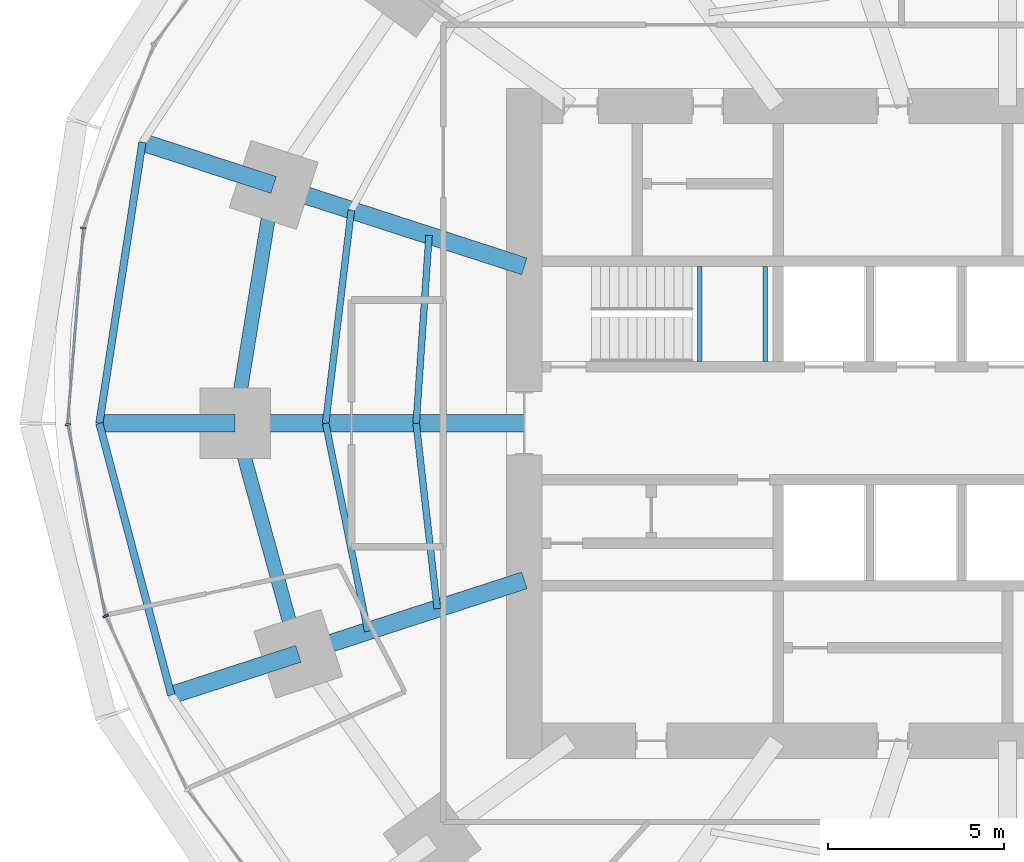
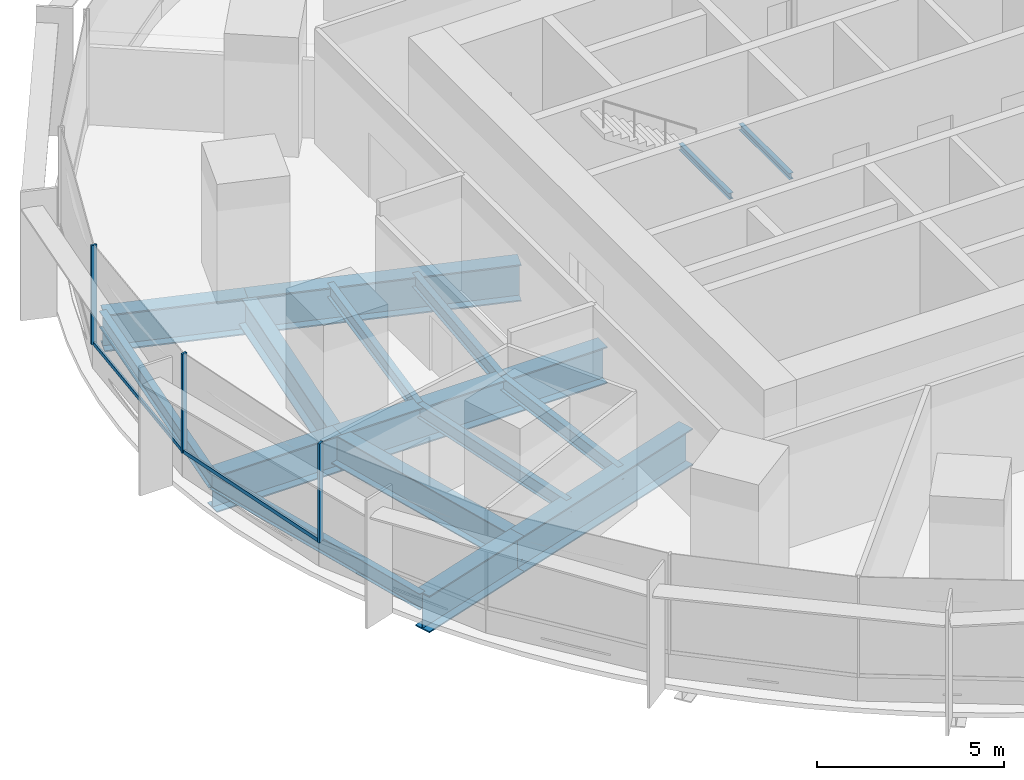
# One storey, part 4 of 15: 16 beams, 5 members, 2 elements without a shape of their own.
"""IFC4 building model written with IfcOpenShell, lengths in metres."""

from ifc_helpers import new_model, si_unit, direction, frame, origin, origin_2d, place, context, subcontext, project, spatial, rectangle, i_section, extrude, material, material_profile, profile_set, type_object, element, aggregate, save


model = new_model("IFC4")

# Units and contexts
model_context = context("Model", 3, precision=1e-05, world=origin(), true_north=direction((0.0, 1.0)))
body_context = subcontext(model_context, "Body", "Model", "MODEL_VIEW")
ifc_project = project(units=[si_unit("LENGTHUNIT", "METRE"), si_unit("AREAUNIT", "SQUARE_METRE"), si_unit("VOLUMEUNIT", "CUBIC_METRE"), si_unit("PLANEANGLEUNIT", "RADIAN"), si_unit("MASSUNIT", "GRAM", prefix="KILO")], contexts=[model_context])

# Site, building, storey
site_placement = place(None, origin())
site = spatial("IfcSite", under=ifc_project, at=site_placement, CompositionType="ELEMENT")
building_placement = place(site_placement, origin())
building = spatial("IfcBuilding", under=site, at=building_placement, Name="Marramba Exchange Tower", CompositionType="ELEMENT")
storey_placement = place(building_placement, frame((0.0, 0.0, 65.800048828125)))
storey = spatial("IfcBuildingStorey", under=building, at=storey_placement, Name="L15", CompositionType="ELEMENT", Elevation=65.800048828125)

# Beams
ifc_material_1 = material(Name="Steel AS/NZS 3679.2 grade 300", Category="steel")
ifc_material_profile_1 = material_profile(ifc_material_1, i_section(OverallWidth=0.5, OverallDepth=1.199951171875, WebThickness=0.01611328125, FlangeThickness=0.0400390625, at=origin_2d()), Name="1200WB455")
ifc_profile_set_1 = profile_set([ifc_material_profile_1], Name="Steel AS/NZS 3679.2 grade 300")
beam_type_1 = type_object("IfcBeamType", Name="Cantilever girder 1200WB455", PredefinedType="BEAM", material=ifc_profile_set_1)
beam_1_placement = place(storey_placement, frame((-20.808349609375, 6.760986328125, -0.760009765625), z_axis=(-0.951058833549, 0.309009862508, 0.0), x_axis=(-0.309009862508, -0.951058833549, 0.0)))
element("IfcBeam", 1, at=beam_1_placement, inside=storey, type_object=beam_type_1, Name="Cantilever girder L15 TC10", PredefinedType="BEAM", context=body_context, shape_type="SweptSolid", body=[
    extrude(i_section(OverallWidth=0.5, OverallDepth=1.199951171875, WebThickness=0.01611328125, FlangeThickness=0.0400390625, at=origin_2d()), origin(), (0.0, 0.0, 1.0), 3.91162109375),
])
beam_2_placement = place(storey_placement, frame((-21.89990234375, 0.0, -0.760009765625), z_axis=(-1.0, 0.0, 0.0), x_axis=(0.0, -1.0, 0.0)))
element("IfcBeam", 2, at=beam_2_placement, inside=storey, type_object=beam_type_1, Name="Cantilever girder L15 TC11", PredefinedType="BEAM", context=body_context, shape_type="SweptSolid", body=[
    extrude(i_section(OverallWidth=0.5, OverallDepth=1.199951171875, WebThickness=0.01611328125, FlangeThickness=0.0400390625, at=origin_2d()), origin(), (0.0, 0.0, 1.0), 3.85009765625),
])
beam_3_placement = place(storey_placement, frame((-20.109375, -6.533935546875, -0.760009765625), z_axis=(-0.951048759501, -0.309040866314, 0.0), x_axis=(0.309040866314, -0.951048759501, 0.0)))
element("IfcBeam", 3, at=beam_3_placement, inside=storey, type_object=beam_type_1, Name="Cantilever girder L15 TC12", PredefinedType="BEAM", context=body_context, shape_type="SweptSolid", body=[
    extrude(i_section(OverallWidth=0.5, OverallDepth=1.199951171875, WebThickness=0.01611328125, FlangeThickness=0.0400390625, at=origin_2d()), origin(), (0.0, 0.0, 1.0), 3.78564453125),
])
ifc_material_2 = material(Name="Steel AS/NZS 3679.1 grade 300", Category="steel")
ifc_material_profile_2 = material_profile(ifc_material_2, i_section(OverallWidth=0.18994140625, OverallDepth=0.4541015625, WebThickness=0.008544921875, FlangeThickness=0.0126953125, FilletRadius=0.011474609375, at=origin_2d()), Name="460UB67.1")
ifc_profile_set_2 = profile_set([ifc_material_profile_2], Name="Steel AS/NZS 3679.1 grade 300")
beam_type_2 = type_object("IfcBeamType", Name="Floor joist 460UB67.1", PredefinedType="JOIST", material=ifc_profile_set_2)
beam_4_placement = place(storey_placement, frame((-16.40283203125, 5.32958984375, -0.386962890625), z_axis=(-0.068096259546, -0.99767875563, 0.0), x_axis=(0.99767875563, -0.068096259546, 0.0)))
element("IfcBeam", 4, at=beam_4_placement, inside=storey, type_object=beam_type_2, Name="Joist L15 bay 10 row 1", PredefinedType="JOIST", context=body_context, shape_type="SweptSolid", body=[
    extrude(i_section(OverallWidth=0.18994140625, OverallDepth=0.4541015625, WebThickness=0.008544921875, FlangeThickness=0.0126953125, FilletRadius=0.011474609375, at=origin_2d()), origin(), (0.0, 0.0, 1.0), 5.342041015625),
])
beam_5_placement = place(storey_placement, frame((-18.60546875, 6.04541015625, -0.386962890625), z_axis=(-0.119523078538, -0.992831422597, 0.0), x_axis=(0.992831422597, -0.119523078538, 0.0)))
element("IfcBeam", 5, at=beam_5_placement, inside=storey, type_object=beam_type_2, Name="Joist L15 bay 10 row 2", PredefinedType="JOIST", context=body_context, shape_type="SweptSolid", body=[
    extrude(i_section(OverallWidth=0.18994140625, OverallDepth=0.4541015625, WebThickness=0.008544921875, FlangeThickness=0.0126953125, FilletRadius=0.011474609375, at=origin_2d()), origin(), (0.0, 0.0, 1.0), 6.089111328125),
])
beam_6_placement = place(storey_placement, frame((-16.7666015625, 0.0, -0.386962890625), z_axis=(0.112888968594, -0.993607609054, 0.0), x_axis=(0.993607609054, 0.112888968594, 0.0)))
element("IfcBeam", 6, at=beam_6_placement, inside=storey, type_object=beam_type_2, Name="Joist L15 bay 11 row 1", PredefinedType="JOIST", context=body_context, shape_type="SweptSolid", body=[
    extrude(i_section(OverallWidth=0.18994140625, OverallDepth=0.4541015625, WebThickness=0.008544921875, FlangeThickness=0.0126953125, FilletRadius=0.011474609375, at=origin_2d()), origin(), (0.0, 0.0, 1.0), 5.28759765625),
])
beam_7_placement = place(storey_placement, frame((-19.333251953125, 0.0, -0.386962890625), z_axis=(0.198489047047, -0.980103105904, 0.0), x_axis=(0.980103105904, 0.198489047047, 0.0)))
element("IfcBeam", 7, at=beam_7_placement, inside=storey, type_object=beam_type_2, Name="Joist L15 bay 11 row 2", PredefinedType="JOIST", context=body_context, shape_type="SweptSolid", body=[
    extrude(i_section(OverallWidth=0.18994140625, OverallDepth=0.4541015625, WebThickness=0.008544921875, FlangeThickness=0.0126953125, FilletRadius=0.011474609375, at=origin_2d()), origin(), (0.0, 0.0, 1.0), 6.013427734375),
])
ifc_material_profile_3 = material_profile(ifc_material_1, i_section(OverallWidth=0.5, OverallDepth=1.199951171875, WebThickness=0.01611328125, FlangeThickness=0.0400390625, at=origin_2d()), Name="1200WB455")
ifc_profile_set_3 = profile_set([ifc_material_profile_3], Name="Steel AS/NZS 3679.2 grade 300")
beam_type_3 = type_object("IfcBeamType", Name="Radial girder 1200WB455", PredefinedType="BEAM", material=ifc_profile_set_3)
beam_8_placement = place(storey_placement, frame((-13.699951171875, 4.451416015625, -0.760009765625), z_axis=(-0.951059990189, 0.309006302624, 0.0), x_axis=(-0.309006302624, -0.951059990189, 0.0)))
element("IfcBeam", 8, at=beam_8_placement, inside=storey, type_object=beam_type_3, Name="Radial girder L15 TC10", PredefinedType="BEAM", context=body_context, shape_type="SweptSolid", body=[
    extrude(i_section(OverallWidth=0.5, OverallDepth=1.199951171875, WebThickness=0.01611328125, FlangeThickness=0.0400390625, at=origin_2d()), origin(), (0.0, 0.0, 1.0), 7.47412109375),
])
beam_9_placement = place(storey_placement, frame((-13.699951171875, 0.0, -0.760009765625), z_axis=(-1.0, 0.0, 0.0), x_axis=(0.0, -1.0, 0.0)))
element("IfcBeam", 9, at=beam_9_placement, inside=storey, type_object=beam_type_3, Name="Radial girder L15 TC11", PredefinedType="BEAM", context=body_context, shape_type="SweptSolid", body=[
    extrude(i_section(OverallWidth=0.5, OverallDepth=1.199951171875, WebThickness=0.01611328125, FlangeThickness=0.0400390625, at=origin_2d()), origin(), (0.0, 0.0, 1.0), 8.199951171875),
])
beam_10_placement = place(storey_placement, frame((-13.699951171875, -4.451416015625, -0.760009765625), z_axis=(-0.951057759669, -0.309013167637, 0.0), x_axis=(0.309013167637, -0.951057759669, 0.0)))
element("IfcBeam", 10, at=beam_10_placement, inside=storey, type_object=beam_type_3, Name="Radial girder L15 TC12", PredefinedType="BEAM", context=body_context, shape_type="SweptSolid", body=[
    extrude(i_section(OverallWidth=0.5, OverallDepth=1.199951171875, WebThickness=0.01611328125, FlangeThickness=0.0400390625, at=origin_2d()), origin(), (0.0, 0.0, 1.0), 6.7392578125),
])
ifc_material_profile_4 = material_profile(ifc_material_1, i_section(OverallWidth=0.39990234375, OverallDepth=1.0, WebThickness=0.01611328125, FlangeThickness=0.031982421875, at=origin_2d()), Name="1000WB322")
ifc_profile_set_4 = profile_set([ifc_material_profile_4], Name="Steel AS/NZS 3679.2 grade 300")
beam_type_4 = type_object("IfcBeamType", Name="Ring beam 1000WB322", PredefinedType="SPANDREL", material=ifc_profile_set_4)
beam_11_placement = place(storey_placement, frame((-20.808349609375, 6.760986328125, -0.66015625), z_axis=(-0.159384865399, -0.987216523708, 0.0), x_axis=(0.987216523708, -0.159384865399, 0.0)))
element("IfcBeam", 11, at=beam_11_placement, inside=storey, type_object=beam_type_4, Name="Ring beam L15 TC10-TC11", PredefinedType="SPANDREL", context=body_context, shape_type="SweptSolid", body=[
    extrude(i_section(OverallWidth=0.39990234375, OverallDepth=1.0, WebThickness=0.01611328125, FlangeThickness=0.031982421875, at=origin_2d()), origin(), (0.0, 0.0, 1.0), 6.8486328125),
])
beam_12_placement = place(storey_placement, frame((-21.89990234375, 0.0, -0.66015625), z_axis=(0.264291166956, -0.964442937176, 0.0), x_axis=(0.964442937176, 0.264291166956, 0.0)))
element("IfcBeam", 12, at=beam_12_placement, inside=storey, type_object=beam_type_4, Name="Ring beam L15 TC11-TC12", PredefinedType="SPANDREL", context=body_context, shape_type="SweptSolid", body=[
    extrude(i_section(OverallWidth=0.39990234375, OverallDepth=1.0, WebThickness=0.01611328125, FlangeThickness=0.031982421875, at=origin_2d()), origin(), (0.0, 0.0, 1.0), 6.77490234375),
])
ifc_material_profile_5 = material_profile(ifc_material_2, i_section(OverallWidth=0.208984375, OverallDepth=0.528076171875, WebThickness=0.009521484375, FlangeThickness=0.01318359375, FilletRadius=0.013916015625, at=origin_2d()), Name="530UB82.0")
ifc_profile_set_5 = profile_set([ifc_material_profile_5], Name="Steel AS/NZS 3679.1 grade 300")
beam_type_5 = type_object("IfcBeamType", Name="Slab edge beam 530UB82.0", PredefinedType="SPANDREL", material=ifc_profile_set_5)
beam_13_placement = place(storey_placement, frame((-24.528564453125, 7.9697265625, -0.424072265625), z_axis=(-0.151490591645, -0.988458699513, 0.0), x_axis=(0.988458699513, -0.151490591645, 0.0)))
element("IfcBeam", 13, at=beam_13_placement, inside=storey, type_object=beam_type_5, Name="Slab edge beam L15 TC10-TC11", PredefinedType="SPANDREL", context=body_context, shape_type="SweptSolid", body=[
    extrude(i_section(OverallWidth=0.208984375, OverallDepth=0.528076171875, WebThickness=0.009521484375, FlangeThickness=0.01318359375, FilletRadius=0.013916015625, at=origin_2d()), origin(), (0.0, 0.0, 1.0), 8.062744140625),
])
beam_14_placement = place(storey_placement, frame((-25.75, 0.0, -0.424072265625), z_axis=(0.25601296674, -0.966673347549, 0.0), x_axis=(0.966673347549, 0.25601296674, 0.0)))
element("IfcBeam", 14, at=beam_14_placement, inside=storey, type_object=beam_type_5, Name="Slab edge beam L15 TC11-TC12", PredefinedType="SPANDREL", context=body_context, shape_type="SweptSolid", body=[
    extrude(i_section(OverallWidth=0.208984375, OverallDepth=0.528076171875, WebThickness=0.009521484375, FlangeThickness=0.01318359375, FilletRadius=0.013916015625, at=origin_2d()), origin(), (0.0, 0.0, 1.0), 7.969482421875),
])
ifc_material_profile_6 = material_profile(ifc_material_2, i_section(OverallWidth=0.133056640625, OverallDepth=0.202880859375, WebThickness=0.005859375, FlangeThickness=0.0078125, FilletRadius=0.0087890625, at=origin_2d()), Name="200UB25.4")
ifc_profile_set_6 = profile_set([ifc_material_profile_6], Name="Steel AS/NZS 3679.1 grade 300")
beam_type_6 = type_object("IfcBeamType", Name="Stair landing beam 200UB25.4", PredefinedType="BEAM", material=ifc_profile_set_6)
for number, where, z_axis, x_axis, name in (
    (15, (-8.723388671875, 1.75, 1.79833984375), (0.0, 1.0, 0.0), (-1.0, 0.0, 0.0), "Stair landing beam SLB1 ST1 L15 1"),
    (16, (-6.866455078125, 1.75, 1.79833984375), (0.0, 1.0, 0.0), (-1.0, 0.0, 0.0), "Stair landing beam SLB1 ST1 L15 2"),
):
    element("IfcBeam", number, at=place(storey_placement, frame(where, z_axis=z_axis, x_axis=x_axis)), inside=storey, type_object=beam_type_6, Name=name, PredefinedType="BEAM", context=body_context, shape_type="SweptSolid", body=[
        extrude(i_section(OverallWidth=0.133056640625, OverallDepth=0.202880859375, WebThickness=0.005859375, FlangeThickness=0.0078125, FilletRadius=0.0087890625, at=origin_2d()), origin(), (0.0, 0.0, 1.0), 2.699951171875),
    ])

# Curtain wall, member
ifc_material_3 = material(Name="Aluminium framing, bronze anodised", Category="aluminium")
curtain_wall_type = type_object("IfcCurtainWallType", Name="Trading floor ribbon curtain wall", PredefinedType="USERDEFINED", material=ifc_material_3)
curtain_wall_1_placement = place(storey_placement, origin())
curtain_wall_1 = element("IfcCurtainWall", 17, at=curtain_wall_1_placement, inside=storey, type_object=curtain_wall_type, Name="Curtain wall CW3 L15 F11-F15", ObjectType="RIBBON CURTAIN WALL", PredefinedType="USERDEFINED")
ifc_material_4 = material(Name="Aluminium mullion, bronze anodised", Category="aluminium")
ifc_material_profile_7 = material_profile(ifc_material_4, rectangle(XDim=0.159912109375, YDim=0.06005859375, at=origin_2d()), Name="CW3 mullion 60x160")
ifc_profile_set_7 = profile_set([ifc_material_profile_7], Name="Aluminium mullion, bronze anodised")
member_type_1 = type_object("IfcMemberType", Name="Trading floor ribbon curtain wall mullion", PredefinedType="MULLION", material=ifc_profile_set_7)
member_1_placement = place(storey_placement, frame((-26.203857421875, 5.539306640625, 0.800048828125), z_axis=(0.0, 0.0, 1.0), x_axis=(0.996772736434, -0.080275225953, 0.0)))
member_1 = element("IfcMember", 18, at=member_1_placement, type_object=member_type_1, Name="CW3 mullion 1", PredefinedType="MULLION", context=body_context, shape_type="SweptSolid", body=[
    extrude(rectangle(XDim=0.159912109375, YDim=0.06005859375, at=origin_2d()), origin(), (0.0, 0.0, 1.0), 3.239990234375),
])

# Curtain wall, members
curtain_wall_2_placement = place(storey_placement, origin())
curtain_wall_2 = element("IfcCurtainWall", 19, at=curtain_wall_2_placement, inside=storey, type_object=curtain_wall_type, Name="Curtain wall CW3 L15 F16-F20", ObjectType="RIBBON CURTAIN WALL", PredefinedType="USERDEFINED")
member_2_placement = place(storey_placement, frame((-26.644287109375, -0.029541015625, 0.800048828125), z_axis=(0.0, 0.0, 1.0), x_axis=(0.981346261612, 0.1922485756, 0.0)))
member_2 = element("IfcMember", 20, at=member_2_placement, type_object=member_type_1, Name="CW3 mullion 1", PredefinedType="MULLION", context=body_context, shape_type="SweptSolid", body=[
    extrude(rectangle(XDim=0.159912109375, YDim=0.06005859375, at=origin_2d()), origin(), (0.0, 0.0, 1.0), 3.239990234375),
])
member_3_placement = place(storey_placement, frame((-25.572021484375, -5.46533203125, 0.800048828125), z_axis=(0.0, 0.0, 1.0), x_axis=(0.905906758768, 0.423477206492, 0.0)))
member_3 = element("IfcMember", 21, at=member_3_placement, type_object=member_type_1, Name="CW3 mullion 1", PredefinedType="MULLION", context=body_context, shape_type="SweptSolid", body=[
    extrude(rectangle(XDim=0.159912109375, YDim=0.06005859375, at=origin_2d()), origin(), (0.0, 0.0, 1.0), 3.239990234375),
])

# Member
ifc_material_5 = material(Name="Aluminium transom, bronze anodised", Category="aluminium")
ifc_material_profile_8 = material_profile(ifc_material_5, rectangle(XDim=0.06005859375, YDim=0.1201171875, at=origin_2d()), Name="CW3 transom 60x120")
ifc_profile_set_8 = profile_set([ifc_material_profile_8], Name="Aluminium transom, bronze anodised")
member_type_2 = type_object("IfcMemberType", Name="Trading floor ribbon curtain wall transom", PredefinedType="USERDEFINED", material=ifc_profile_set_8)
member_4_placement = place(storey_placement, frame((-26.206298828125, 5.509521484375, 0.829833984375), z_axis=(-0.080256075865, -0.996774278504, 0.0), x_axis=(0.996774278504, -0.080256075865, 0.0)))
member_4 = element("IfcMember", 22, at=member_4_placement, type_object=member_type_2, Name="CW3 sill transom", ObjectType="TRANSOM", PredefinedType="USERDEFINED", context=body_context, shape_type="SweptSolid", body=[
    extrude(rectangle(XDim=0.06005859375, YDim=0.1201171875, at=origin_2d()), origin(), (0.0, 0.0, 1.0), 5.52734375),
])

aggregate(curtain_wall_1, [member_1, member_4])

member_5_placement = place(storey_placement, frame((-26.638427734375, -0.058837890625, 0.829833984375), z_axis=(0.192226081646, -0.981350667975, 0.0), x_axis=(0.981350667975, 0.192226081646, 0.0)))
member_5 = element("IfcMember", 23, at=member_5_placement, type_object=member_type_2, Name="CW3 sill transom", ObjectType="TRANSOM", PredefinedType="USERDEFINED", context=body_context, shape_type="SweptSolid", body=[
    extrude(rectangle(XDim=0.06005859375, YDim=0.1201171875, at=origin_2d()), origin(), (0.0, 0.0, 1.0), 5.481689453125),
])

aggregate(curtain_wall_2, [member_2, member_5, member_3])

save(model, "model.ifc")
